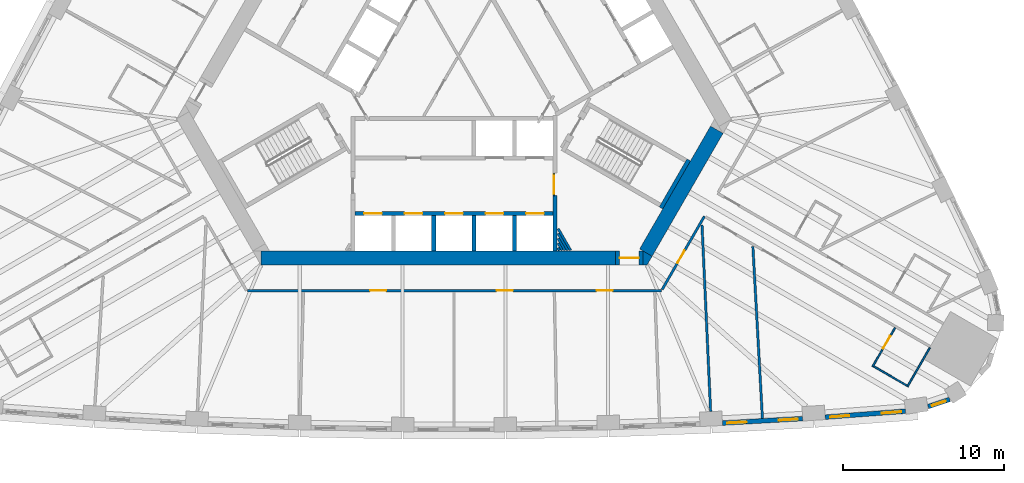
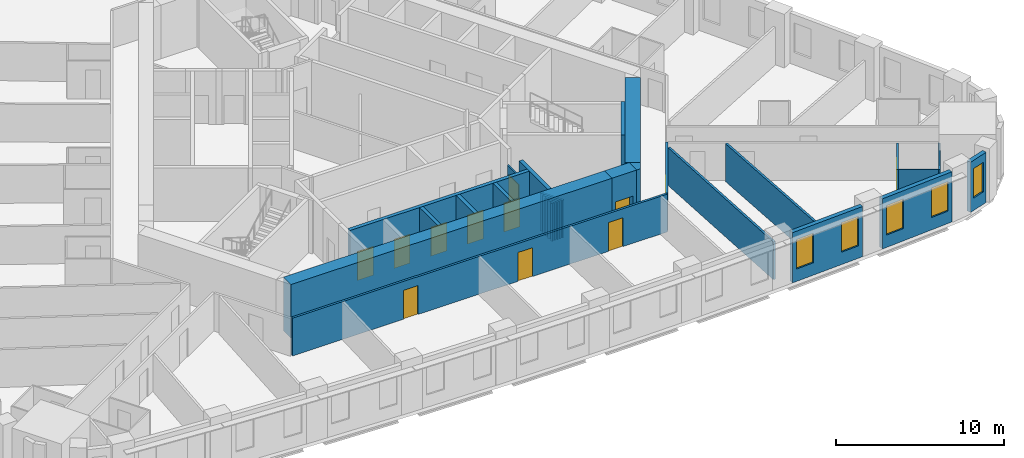
# One storey, part 6 of 12: 26 walls, 12 doors, 5 windows, 17 openings.
"""IFC4 building model written with IfcOpenShell, lengths in metres."""

import ifcopenshell
import ifcopenshell.guid

model = None  # the IFC model being written
_history = None  # IfcOwnerHistory: only IFC2X3 demands one
_inside = {}  # id of a spatial element -> (the spatial element, [elements in it])
_under = {}  # id of a project, library or spatial element -> (it, [spatial elements below it])
_declared = {}  # id of a project -> (the project, [libraries it declares])
_typed = {}  # id of a type object -> (the type object, [elements of that type])
_made_of = {}  # id of a material, layer set ... -> (it, [elements and type objects made of it])


def new_model(schema):
    """Start an empty IFC model of exactly this schema.

    Asked for "IFC4X3", IfcOpenShell would pick the latest addendum, in which some entities
    have other attributes; the version numbers below select the first issue.
    IFC2X3 requires an IfcOwnerHistory on every rooted entity: one is made here for all.
    """
    global model, _history
    if schema == "IFC4X3":
        model = ifcopenshell.file(schema_version=(4, 3, 0, 0))
    else:
        model = ifcopenshell.file(schema=schema)
    _inside.clear()
    _under.clear()
    _declared.clear()
    _typed.clear()
    _made_of.clear()
    _history = None
    if model.schema == "IFC2X3":
        org = make("IfcOrganization", Name="unknown")
        user = make(
            "IfcPersonAndOrganization",
            ThePerson=make("IfcPerson", FamilyName="unknown"),
            TheOrganization=org,
        )
        app = make(
            "IfcApplication",
            ApplicationDeveloper=org,
            Version="unknown",
            ApplicationFullName="unknown",
            ApplicationIdentifier="unknown",
        )
        _history = make(
            "IfcOwnerHistory",
            OwningUser=user,
            OwningApplication=app,
            ChangeAction="ADDED",
            CreationDate=0,
        )
    return model


def make(cls, **values):
    """One entity of the class cls with the attributes given. An attribute that is None is left unset."""
    return model.create_entity(
        cls, **{name: value for name, value in values.items() if value is not None}
    )


def rooted(cls, **values):
    """An entity with a GlobalId (a new one), such as an element, a storey or a relation."""
    return make(cls, GlobalId=ifcopenshell.guid.new(), OwnerHistory=_history, **values)


def si_unit(unit_type, name, prefix=None):
    """IfcSIUnit, for example si_unit("LENGTHUNIT", "METRE", prefix="MILLI")."""
    return make("IfcSIUnit", UnitType=unit_type, Prefix=prefix, Name=name)


def assignment(units):
    """IfcUnitAssignment: the units of a project."""
    return None if units is None else make("IfcUnitAssignment", Units=units)


def point(xyz):
    """IfcCartesianPoint."""
    return None if xyz is None else make("IfcCartesianPoint", Coordinates=xyz)


def direction(xyz):
    """IfcDirection."""
    return None if xyz is None else make("IfcDirection", DirectionRatios=xyz)


def frame(location, z_axis=None, x_axis=None):
    """IfcAxis2Placement3D, a coordinate frame: its origin and axes. An axis left out is left unset."""
    return make(
        "IfcAxis2Placement3D",
        Location=point(location),
        Axis=direction(z_axis),
        RefDirection=direction(x_axis),
    )


def frame_2d(location, x_axis=None):
    """IfcAxis2Placement2D, a coordinate frame in the plane: its origin and x axis."""
    return make(
        "IfcAxis2Placement2D", Location=point(location), RefDirection=direction(x_axis)
    )


def origin():
    """The frame at (0, 0, 0) with its axes left unset."""
    return frame((0.0, 0.0, 0.0))


def place(relative_to, where):
    """IfcLocalPlacement: puts the frame where relative to a parent placement (None: the world)."""
    return make(
        "IfcLocalPlacement", PlacementRelTo=relative_to, RelativePlacement=where
    )


def context(
    kind, dimensions, precision=None, world=None, true_north=None, identifier=None
):
    """IfcGeometricRepresentationContext, for example the 3D "Model" context."""
    return make(
        "IfcGeometricRepresentationContext",
        ContextIdentifier=identifier,
        ContextType=kind,
        CoordinateSpaceDimension=dimensions,
        Precision=precision,
        WorldCoordinateSystem=world,
        TrueNorth=true_north,
    )


def subcontext(parent, identifier, kind, view, scale=None):
    """IfcGeometricRepresentationSubContext, for example "Body" below "Model"."""
    return make(
        "IfcGeometricRepresentationSubContext",
        ContextIdentifier=identifier,
        ContextType=kind,
        ParentContext=parent,
        TargetScale=scale,
        TargetView=view,
    )


def project(units=None, contexts=None):
    """IfcProject with its units and contexts."""
    return rooted(
        "IfcProject",
        Name="project",
        RepresentationContexts=contexts,
        UnitsInContext=assignment(units),
    )


def spatial(cls, under=None, at=None, **own):
    """A site, building, storey or space (cls), placed at a placement, below another one or the project."""
    s = rooted(cls, ObjectPlacement=at, **own)
    if under is not None:
        _under.setdefault(under.id(), (under, []))[1].append(s)
    return s


def polyline(points):
    """IfcPolyline through the points."""
    return make("IfcPolyline", Points=[point(p) for p in points])


def profile(cls, at=None, kind="AREA", **sizes):
    """A parametric profile (cls). Its sizes go by their IFC names, for example OverallWidth=200.0."""
    return make(cls, ProfileType=kind, Position=at, **sizes)


def rectangle(**sizes):
    """IfcRectangleProfileDef."""
    return profile("IfcRectangleProfileDef", **sizes)


def outline(outer, holes=None, kind="AREA"):
    """IfcArbitraryClosedProfileDef: a profile drawn as a closed curve; with holes, ...WithVoids."""
    if holes is None:
        return make("IfcArbitraryClosedProfileDef", ProfileType=kind, OuterCurve=outer)
    return make(
        "IfcArbitraryProfileDefWithVoids",
        ProfileType=kind,
        OuterCurve=outer,
        InnerCurves=holes,
    )


def extrude(swept, where, along, depth):
    """IfcExtrudedAreaSolid: the profile swept, set in the frame where, extruded along a direction by depth."""
    return make(
        "IfcExtrudedAreaSolid",
        SweptArea=swept,
        Position=where,
        ExtrudedDirection=direction(along),
        Depth=depth,
    )


def shape(context_of_items, identifier, shape_type, items):
    """IfcShapeRepresentation: the items that make up one representation, for example the "Body"."""
    return make(
        "IfcShapeRepresentation",
        ContextOfItems=context_of_items,
        RepresentationIdentifier=identifier,
        RepresentationType=shape_type,
        Items=items,
    )


def material(Name=None, Category=None):
    """IfcMaterial."""
    return make("IfcMaterial", Name=Name, Category=Category)


def layer(
    of_material, thickness, ventilated=None, Name=None, Category=None, Priority=None
):
    """IfcMaterialLayer: one layer of a wall or slab, of a material (None: an air gap)."""
    return make(
        "IfcMaterialLayer",
        Material=of_material,
        LayerThickness=thickness,
        IsVentilated=ventilated,
        Name=Name,
        Category=Category,
        Priority=Priority,
    )


def layer_set(layers, Name=None):
    """IfcMaterialLayerSet."""
    return make("IfcMaterialLayerSet", MaterialLayers=layers, LayerSetName=Name)


def made_of(thing, what):
    """Note that an element or type object is made of a material, layer set ...; save() writes the relation."""
    if what is not None:
        _made_of.setdefault(what.id(), (what, []))[1].append(thing)
    return thing


def type_object(cls, material=None, **own):
    """A type object (cls), such as IfcWallType, which elements share."""
    return made_of(rooted(cls, **own), material)


def element(
    cls,
    number,
    at=None,
    inside=None,
    cuts=None,
    type_object=None,
    material=None,
    context=None,
    identifier="Body",
    shape_type=None,
    held_by="IfcProductDefinitionShape",
    body=None,
    shapes=None,
    **own,
):
    """One element of the class cls, such as IfcWall. Its Tag is "e" and its number.

    at: its placement. inside: the storey or other place that contains it. cuts: it is an
    opening in that element (IfcRelVoidsElement). A single representation is given by context,
    identifier, shape_type and body (its items); several are given by shapes. held_by: the class
    of the entity that holds the representations. save() writes the other relations.
    """
    e = rooted(cls, Tag="e%d" % number, ObjectPlacement=at, **own)
    if body is not None:
        shapes = [shape(context, identifier, shape_type, body)]
    if shapes is not None:
        e.Representation = make(held_by, Representations=shapes)
    if inside is not None:
        _inside.setdefault(inside.id(), (inside, []))[1].append(e)
    if cuts is not None:
        rooted(
            "IfcRelVoidsElement", RelatingBuildingElement=cuts, RelatedOpeningElement=e
        )
    if type_object is not None:
        _typed.setdefault(type_object.id(), (type_object, []))[1].append(e)
    return made_of(e, material)


def fill(opening, filler):
    """IfcRelFillsElement: the door or window that sits in an opening."""
    return rooted(
        "IfcRelFillsElement",
        RelatingOpeningElement=opening,
        RelatedBuildingElement=filler,
    )


def aggregate(whole, parts):
    """IfcRelAggregates: a whole, such as a stair, and the parts it consists of."""
    return rooted("IfcRelAggregates", RelatingObject=whole, RelatedObjects=parts)


def save(model, path):
    """Write the relations noted so far, then the file.

    IfcRelAggregates (storeys below a building ...), IfcRelContainedInSpatialStructure (elements
    in a storey), IfcRelDefinesByType, IfcRelAssociatesMaterial and IfcRelDeclares: one each for
    every whole, place, type object, material and project.
    """
    for whole, parts in _under.values():
        aggregate(whole, parts)
    for where, things in _inside.values():
        rooted(
            "IfcRelContainedInSpatialStructure",
            RelatedElements=things,
            RelatingStructure=where,
        )
    for kind, things in _typed.values():
        rooted("IfcRelDefinesByType", RelatedObjects=things, RelatingType=kind)
    for what, things in _made_of.values():
        rooted("IfcRelAssociatesMaterial", RelatedObjects=things, RelatingMaterial=what)
    for by, libraries in _declared.values():
        rooted("IfcRelDeclares", RelatingContext=by, RelatedDefinitions=libraries)
    model.write(path)


model = new_model("IFC4")

# Units and contexts
model_context = context("Model", 3, precision=1e-05, world=origin(), true_north=direction((0.0, 1.0)))
body_context = subcontext(model_context, "Body", "Model", "MODEL_VIEW")
ifc_project = project(units=[si_unit("LENGTHUNIT", "METRE"), si_unit("AREAUNIT", "SQUARE_METRE"), si_unit("VOLUMEUNIT", "CUBIC_METRE"), si_unit("PLANEANGLEUNIT", "RADIAN"), si_unit("MASSUNIT", "GRAM", prefix="KILO")], contexts=[model_context])

# Site, building, storey
site_placement = place(None, origin())
site = spatial("IfcSite", under=ifc_project, at=site_placement, CompositionType="ELEMENT")
building_placement = place(site_placement, origin())
building = spatial("IfcBuilding", under=site, at=building_placement, Name="Mestral Congress Tower", CompositionType="ELEMENT")
storey_placement = place(building_placement, frame((0.0, 0.0, 43.199951171875)))
storey = spatial("IfcBuildingStorey", under=building, at=storey_placement, Name="L09", CompositionType="ELEMENT", Elevation=43.199951171875)

# Walls
ifc_material_1 = material(Name="Fire-rated board partition")
ifc_layer_1 = layer(ifc_material_1, 0.14990234375)
ifc_layer_set_1 = layer_set([ifc_layer_1], Name="Fire-rated board partition")
wall_type_1 = type_object("IfcWallType", Name="Core partition 150", PredefinedType="PARTITIONING", material=ifc_layer_set_1)
wall_1_placement = place(storey_placement, frame((6.47998046875, -10.7255859375, 0.0), z_axis=(0.0, 0.0, 1.0), x_axis=(0.500017819788, -0.86601511528, 0.0)))
element("IfcWall", 1, at=wall_1_placement, inside=storey, type_object=wall_type_1, Name="L09 core wall", PredefinedType="PARTITIONING", context=body_context, shape_type="SweptSolid", body=[
    extrude(rectangle(XDim=1.55029296875, YDim=0.14990234375, at=frame_2d((0.775146484375, 0.0))), origin(), (0.0, 0.0, 1.0), 2.75),
])
wall_2_placement = place(storey_placement, frame((6.47998046875, -11.025634765625, 0.0), z_axis=(0.0, 0.0, 1.0), x_axis=(0.49995654735, -0.86605048973, 0.0)))
element("IfcWall", 2, at=wall_2_placement, inside=storey, type_object=wall_type_1, Name="L09 core wall", PredefinedType="PARTITIONING", context=body_context, shape_type="SweptSolid", body=[
    extrude(rectangle(XDim=1.20361328125, YDim=0.14990234375, at=frame_2d((0.601806640625, 0.0))), origin(), (0.0, 0.0, 1.0), 2.75),
])
wall_3_placement = place(storey_placement, frame((6.47998046875, -11.32568359375, 0.0), z_axis=(0.0, 0.0, 1.0), x_axis=(0.500059337743, -0.865991142412, 0.0)))
element("IfcWall", 3, at=wall_3_placement, inside=storey, type_object=wall_type_1, Name="L09 core wall", PredefinedType="PARTITIONING", context=body_context, shape_type="SweptSolid", body=[
    extrude(rectangle(XDim=0.857421875, YDim=0.14990234375, at=frame_2d((0.4287109375, 0.0))), origin(), (0.0, 0.0, 1.0), 2.75),
])
wall_4_placement = place(storey_placement, frame((6.47998046875, -11.625732421875, 0.0), z_axis=(0.0, 0.0, 1.0), x_axis=(0.500301480982, -0.865851273677, 0.0)))
element("IfcWall", 4, at=wall_4_placement, inside=storey, type_object=wall_type_1, Name="L09 core wall", PredefinedType="PARTITIONING", context=body_context, shape_type="SweptSolid", body=[
    extrude(rectangle(XDim=0.510986328125, YDim=0.14990234375, at=frame_2d((0.25537109375, 0.0))), origin(), (0.0, 0.0, 1.0), 2.75),
])
wall_5_placement = place(storey_placement, frame((6.47998046875, -11.92578125, 0.0), z_axis=(0.0, 0.0, 1.0), x_axis=(0.500450775723, -0.86576499183, 0.0)))
element("IfcWall", 5, at=wall_5_placement, inside=storey, type_object=wall_type_1, Name="L09 core wall", PredefinedType="PARTITIONING", context=body_context, shape_type="SweptSolid", body=[
    extrude(rectangle(XDim=0.164306640625, YDim=0.14990234375, at=frame_2d((0.08203125, 0.0))), origin(), (0.0, 0.0, 1.0), 2.75),
])

# Wall, opening, door
ifc_layer_2 = layer(ifc_material_1, 0.090087890625)
ifc_layer_set_2 = layer_set([ifc_layer_2], Name="Fire-rated board partition")
wall_type_2 = type_object("IfcWallType", Name="Core partition 150 door-wall 90", PredefinedType="PARTITIONING", material=ifc_layer_set_2)
wall_6_placement = place(storey_placement, frame((6.219970703125, -7.266357421875, 0.0), z_axis=(0.0, 0.0, 1.0), x_axis=(0.0, -1.0, 0.0)))
wall_6 = element("IfcWall", 6, at=wall_6_placement, inside=storey, type_object=wall_type_2, Name="L09 door wall", PredefinedType="PARTITIONING", context=body_context, shape_type="SweptSolid", body=[
    extrude(rectangle(XDim=1.400146484375, YDim=0.090087890625, at=frame_2d((0.7001953125, 0.0))), origin(), (0.0, 0.0, 1.0), 2.75),
])
opening_1_placement = place(wall_6_placement, frame((0.10009765625, 0.0, 0.0)))
opening_1 = element("IfcOpeningElement", 7, at=opening_1_placement, cuts=wall_6, Name="Opening LB0-WL1", PredefinedType="OPENING", context=body_context, shape_type="SweptSolid", body=[
    extrude(rectangle(XDim=1.199951171875, YDim=2.10009765625, at=frame_2d((0.60009765625, 1.050048828125))), frame((0.0, 0.054931640625, 0.0), z_axis=(0.0, -1.0, 0.0), x_axis=(1.0, 0.0, 0.0)), (0.0, 0.0, 1.0), 0.110107421875),
])
ifc_material_2 = material(Name="Fire-rated steel door set", Category="steel")
door_type_1 = type_object("IfcDoorType", Name="Core door LB 1200x2100", OperationType="SINGLE_SWING_LEFT", PredefinedType="DOOR", material=ifc_material_2)
door_1_placement = place(opening_1_placement, origin())
door_1 = element("IfcDoor", 8, at=door_1_placement, inside=storey, type_object=door_type_1, Name="Door LB0-WL1", OperationType="SINGLE_SWING_LEFT", OverallHeight=2.10009765625, OverallWidth=1.199951171875, PredefinedType="DOOR", context=body_context, shape_type="SweptSolid", body=[
    extrude(rectangle(XDim=1.199951171875, YDim=2.10009765625, at=frame_2d((0.60009765625, 1.050048828125))), frame((0.0, 0.02490234375, 0.0), z_axis=(0.0, -1.0, 0.0), x_axis=(1.0, 0.0, 0.0)), (0.0, 0.0, 1.0), 0.050048828125),
])
fill(opening_1, door_1)

# Walls
ifc_material_3 = material(Name="Concrete C60/75", Category="concrete")
ifc_layer_3 = layer(ifc_material_3, 0.89990234375)
ifc_layer_set_3 = layer_set([ifc_layer_3], Name="Concrete C60/75")
wall_type_3 = type_object("IfcWallType", Name="Core wall RC 900", PredefinedType="SOLIDWALL", material=ifc_layer_set_3)
wall_7_placement = place(storey_placement, frame((11.943115234375, -12.214111328125, 0.0), z_axis=(0.0, 0.0, 1.0), x_axis=(0.49998092645, 0.866036415623, 0.0)))
element("IfcWall", 9, at=wall_7_placement, inside=storey, type_object=wall_type_3, Name="L09 core wall", PredefinedType="SOLIDWALL", context=body_context, shape_type="SweptSolid", body=[
    extrude(rectangle(XDim=8.830322265625, YDim=0.89990234375, at=frame_2d((4.4150390625, 0.0))), origin(), (0.0, 0.0, 1.0), 3.900146484375),
])
wall_8_placement = place(storey_placement, origin())
element("IfcWall", 10, at=wall_8_placement, inside=storey, type_object=wall_type_3, Name="L09 core wall", PredefinedType="SOLIDWALL", context=body_context, shape_type="SweptSolid", body=[
    extrude(outline(polyline([(12.0087890625, -13.0), (11.764404296875, -13.0), (11.764404296875, -12.11328125), (12.331787109375, -12.440673828125), (12.0087890625, -13.0)])), origin(), (0.0, 0.0, 1.0), 3.900146484375),
])
wall_9_placement = place(storey_placement, frame((-12.0185546875, -12.550048828125, 0.0), z_axis=(0.0, 0.0, 1.0), x_axis=(1.0, 0.0, 0.0)))
element("IfcWall", 11, at=wall_9_placement, inside=storey, type_object=wall_type_3, Name="L09 core wall", PredefinedType="SOLIDWALL", context=body_context, shape_type="SweptSolid", body=[
    extrude(rectangle(XDim=22.082763671875, YDim=0.89990234375, at=frame_2d((11.04150390625, 0.0))), origin(), (0.0, 0.0, 1.0), 3.900146484375),
])

# Wall, opening, door
wall_10_placement = place(storey_placement, frame((11.764404296875, -12.550048828125, 0.0), z_axis=(0.0, 0.0, 1.0), x_axis=(-1.0, 0.0, 0.0)))
wall_10 = element("IfcWall", 12, at=wall_10_placement, inside=storey, type_object=wall_type_3, Name="L09 door wall", PredefinedType="SOLIDWALL", context=body_context, shape_type="SweptSolid", body=[
    extrude(rectangle(XDim=1.699951171875, YDim=0.89990234375, at=frame_2d((0.85009765625, 0.0))), origin(), (0.0, 0.0, 1.0), 3.900146484375),
])
opening_2_placement = place(wall_10_placement, frame((0.25, 0.0, 0.0)))
opening_2 = element("IfcOpeningElement", 13, at=opening_2_placement, cuts=wall_10, Name="Opening XD1", PredefinedType="OPENING", context=body_context, shape_type="SweptSolid", body=[
    extrude(rectangle(XDim=1.199951171875, YDim=2.10009765625, at=frame_2d((0.60009765625, 1.050048828125))), frame((0.0, 0.4599609375, 0.0), z_axis=(0.0, -1.0, 0.0), x_axis=(1.0, 0.0, 0.0)), (0.0, 0.0, 1.0), 0.919921875),
])
door_type_2 = type_object("IfcDoorType", Name="Core door XD 1200x2100", OperationType="SINGLE_SWING_LEFT", PredefinedType="DOOR", material=ifc_material_2)
door_2_placement = place(opening_2_placement, origin())
door_2 = element("IfcDoor", 14, at=door_2_placement, inside=storey, type_object=door_type_2, Name="Door XD1", OperationType="SINGLE_SWING_LEFT", OverallHeight=2.10009765625, OverallWidth=1.199951171875, PredefinedType="DOOR", context=body_context, shape_type="SweptSolid", body=[
    extrude(rectangle(XDim=1.199951171875, YDim=2.10009765625, at=frame_2d((0.60009765625, 1.050048828125))), frame((0.0, 0.02490234375, 0.0), z_axis=(0.0, -1.0, 0.0), x_axis=(1.0, 0.0, 0.0)), (0.0, 0.0, 1.0), 0.050048828125),
])
fill(opening_2, door_2)

# Wall, openings, windows
ifc_material_4 = material(Name="Precast concrete C40/50 with limestone facing", Category="masonry")
ifc_layer_4 = layer(ifc_material_4, 0.2900390625)
ifc_layer_set_4 = layer_set([ifc_layer_4], Name="Precast concrete C40/50 with limestone facing")
wall_type_4 = type_object("IfcWallType", Name="Facade stone wall 290", PredefinedType="SOLIDWALL", material=ifc_layer_set_4)
wall_11_placement = place(storey_placement, frame((16.7109375, -22.823974609375, 0.0), z_axis=(0.0, 0.0, 1.0), x_axis=(0.998464708705, 0.055391564976, 0.0)))
wall_11 = element("IfcWall", 15, at=wall_11_placement, inside=storey, type_object=wall_type_4, Name="Facade wall F0-07", PredefinedType="SOLIDWALL", context=body_context, shape_type="SweptSolid", body=[
    extrude(rectangle(XDim=4.998046875, YDim=0.2900390625, at=frame_2d((2.4990234375, 0.0))), origin(), (0.0, 0.0, 1.0), 3.650146484375),
])
opening_3_placement = place(wall_11_placement, frame((0.297119140625, 0.0, 0.89990234375)))
opening_3 = element("IfcOpeningElement", 16, at=opening_3_placement, cuts=wall_11, Name="Opening W1", PredefinedType="OPENING", context=body_context, shape_type="SweptSolid", body=[
    extrude(rectangle(XDim=1.199951171875, YDim=2.14990234375, at=frame_2d((0.60009765625, 1.074951171875))), frame((0.0, 0.155029296875, 0.0), z_axis=(0.0, -1.0, 0.0), x_axis=(1.0, 0.0, 0.0)), (0.0, 0.0, 1.0), 0.31005859375),
])
opening_4_placement = place(wall_11_placement, frame((3.501220703125, 0.0, 0.89990234375)))
opening_4 = element("IfcOpeningElement", 17, at=opening_4_placement, cuts=wall_11, Name="Opening W1", PredefinedType="OPENING", context=body_context, shape_type="SweptSolid", body=[
    extrude(rectangle(XDim=1.199951171875, YDim=2.14990234375, at=frame_2d((0.60009765625, 1.074951171875))), frame((0.0, 0.155029296875, 0.0), z_axis=(0.0, -1.0, 0.0), x_axis=(1.0, 0.0, 0.0)), (0.0, 0.0, 1.0), 0.31005859375),
])
ifc_material_5 = material(Name="Clear low-emissivity double glazing", Category="glass")
window_type_1 = type_object("IfcWindowType", Name="Facade punched window 1200 x 2150 sill 900", PartitioningType="DOUBLE_PANEL_VERTICAL", PredefinedType="WINDOW", material=ifc_material_5)
window_1_placement = place(opening_3_placement, origin())
window_1 = element("IfcWindow", 18, at=window_1_placement, inside=storey, type_object=window_type_1, Name="Window F0-07a", OverallHeight=2.14990234375, OverallWidth=1.199951171875, PartitioningType="DOUBLE_PANEL_VERTICAL", PredefinedType="WINDOW", context=body_context, shape_type="SweptSolid", body=[
    extrude(rectangle(XDim=1.199951171875, YDim=2.14990234375, at=frame_2d((0.60009765625, 1.074951171875))), frame((0.0, 0.01513671875, 0.0), z_axis=(0.0, -1.0, 0.0), x_axis=(1.0, 0.0, 0.0)), (0.0, 0.0, 1.0), 0.06005859375),
])
fill(opening_3, window_1)
window_2_placement = place(opening_4_placement, origin())
window_2 = element("IfcWindow", 19, at=window_2_placement, inside=storey, type_object=window_type_1, Name="Window F0-07b", OverallHeight=2.14990234375, OverallWidth=1.199951171875, PartitioningType="DOUBLE_PANEL_VERTICAL", PredefinedType="WINDOW", context=body_context, shape_type="SweptSolid", body=[
    extrude(rectangle(XDim=1.199951171875, YDim=2.14990234375, at=frame_2d((0.60009765625, 1.074951171875))), frame((0.0, 0.01513671875, 0.0), z_axis=(0.0, -1.0, 0.0), x_axis=(1.0, 0.0, 0.0)), (0.0, 0.0, 1.0), 0.06005859375),
])
fill(opening_4, window_2)

wall_12_placement = place(storey_placement, frame((23.10595703125, -22.4560546875, 0.0), z_axis=(0.0, 0.0, 1.0), x_axis=(0.997266290399, 0.073891447643, 0.0)))
wall_12 = element("IfcWall", 20, at=wall_12_placement, inside=storey, type_object=wall_type_4, Name="Facade wall F0-08", PredefinedType="SOLIDWALL", context=body_context, shape_type="SweptSolid", body=[
    extrude(rectangle(XDim=5.005615234375, YDim=0.2900390625, at=frame_2d((2.5029296875, 0.0))), origin(), (0.0, 0.0, 1.0), 3.650146484375),
])
opening_5_placement = place(wall_12_placement, frame((0.31005859375, 0.0, 0.89990234375)))
opening_5 = element("IfcOpeningElement", 21, at=opening_5_placement, cuts=wall_12, Name="Opening W1", PredefinedType="OPENING", context=body_context, shape_type="SweptSolid", body=[
    extrude(rectangle(XDim=1.199951171875, YDim=2.14990234375, at=frame_2d((0.60009765625, 1.074951171875))), frame((0.0, 0.155029296875, 0.0), z_axis=(0.0, -1.0, 0.0), x_axis=(1.0, 0.0, 0.0)), (0.0, 0.0, 1.0), 0.31005859375),
])
opening_6_placement = place(wall_12_placement, frame((3.540283203125, 0.0, 0.89990234375)))
opening_6 = element("IfcOpeningElement", 22, at=opening_6_placement, cuts=wall_12, Name="Opening W1", PredefinedType="OPENING", context=body_context, shape_type="SweptSolid", body=[
    extrude(rectangle(XDim=1.199951171875, YDim=2.14990234375, at=frame_2d((0.60009765625, 1.074951171875))), frame((0.0, 0.155029296875, 0.0), z_axis=(0.0, -1.0, 0.0), x_axis=(1.0, 0.0, 0.0)), (0.0, 0.0, 1.0), 0.31005859375),
])
window_3_placement = place(opening_5_placement, origin())
window_3 = element("IfcWindow", 23, at=window_3_placement, inside=storey, type_object=window_type_1, Name="Window F0-08a", OverallHeight=2.14990234375, OverallWidth=1.199951171875, PartitioningType="DOUBLE_PANEL_VERTICAL", PredefinedType="WINDOW", context=body_context, shape_type="SweptSolid", body=[
    extrude(rectangle(XDim=1.199951171875, YDim=2.14990234375, at=frame_2d((0.60009765625, 1.074951171875))), frame((0.0, 0.01513671875, 0.0), z_axis=(0.0, -1.0, 0.0), x_axis=(1.0, 0.0, 0.0)), (0.0, 0.0, 1.0), 0.06005859375),
])
fill(opening_5, window_3)
window_4_placement = place(opening_6_placement, origin())
window_4 = element("IfcWindow", 24, at=window_4_placement, inside=storey, type_object=window_type_1, Name="Window F0-08b", OverallHeight=2.14990234375, OverallWidth=1.199951171875, PartitioningType="DOUBLE_PANEL_VERTICAL", PredefinedType="WINDOW", context=body_context, shape_type="SweptSolid", body=[
    extrude(rectangle(XDim=1.199951171875, YDim=2.14990234375, at=frame_2d((0.60009765625, 1.074951171875))), frame((0.0, 0.01513671875, 0.0), z_axis=(0.0, -1.0, 0.0), x_axis=(1.0, 0.0, 0.0)), (0.0, 0.0, 1.0), 0.06005859375),
])
fill(opening_6, window_4)

# Wall, opening, window
wall_13_placement = place(storey_placement, frame((29.51171875, -21.80224609375, 0.0), z_axis=(0.0, 0.0, 1.0), x_axis=(0.947903891592, 0.318556450734, 0.0)))
wall_13 = element("IfcWall", 25, at=wall_13_placement, inside=storey, type_object=wall_type_4, Name="Facade wall K0-0", PredefinedType="SOLIDWALL", context=body_context, shape_type="SweptSolid", body=[
    extrude(rectangle(XDim=1.414794921875, YDim=0.2900390625, at=frame_2d((0.70751953125, 0.0))), origin(), (0.0, 0.0, 1.0), 3.650146484375),
])
opening_7_placement = place(wall_13_placement, frame((0.25732421875, 0.0, 0.89990234375)))
opening_7 = element("IfcOpeningElement", 26, at=opening_7_placement, cuts=wall_13, Name="Opening W3", PredefinedType="OPENING", context=body_context, shape_type="SweptSolid", body=[
    extrude(rectangle(XDim=0.89990234375, YDim=2.14990234375, at=frame_2d((0.449951171875, 1.074951171875))), frame((0.0, 0.155029296875, 0.0), z_axis=(0.0, -1.0, 0.0), x_axis=(1.0, 0.0, 0.0)), (0.0, 0.0, 1.0), 0.31005859375),
])
window_type_2 = type_object("IfcWindowType", Name="Facade punched window 900 x 2150 sill 900", PartitioningType="SINGLE_PANEL", PredefinedType="WINDOW", material=ifc_material_5)
window_5_placement = place(opening_7_placement, origin())
window_5 = element("IfcWindow", 27, at=window_5_placement, inside=storey, type_object=window_type_2, Name="Window K0-0", OverallHeight=2.14990234375, OverallWidth=0.89990234375, PartitioningType="SINGLE_PANEL", PredefinedType="WINDOW", context=body_context, shape_type="SweptSolid", body=[
    extrude(rectangle(XDim=0.89990234375, YDim=2.14990234375, at=frame_2d((0.449951171875, 1.074951171875))), frame((0.0, 0.01513671875, 0.0), z_axis=(0.0, -1.0, 0.0), x_axis=(1.0, 0.0, 0.0)), (0.0, 0.0, 1.0), 0.06005859375),
])
fill(opening_7, window_5)

# Wall, opening, door
ifc_material_6 = material(Name="Gypsum board partition on metal studs with mineral wool", Category="composite")
ifc_layer_5 = layer(ifc_material_6, 0.10009765625)
ifc_layer_set_5 = layer_set([ifc_layer_5], Name="Gypsum board partition on metal studs with mineral wool")
wall_type_5 = type_object("IfcWallType", Name="Hotel partition wall 100", PredefinedType="PARTITIONING", material=ifc_layer_set_5)
wall_14_placement = place(storey_placement, frame((27.452392578125, -16.888916015625, 0.0), z_axis=(0.0, 0.0, 1.0), x_axis=(-0.49998411664, -0.866034573852, 0.0)))
wall_14 = element("IfcWall", 28, at=wall_14_placement, inside=storey, type_object=wall_type_5, Name="L09-h-pod09a", PredefinedType="PARTITIONING", context=body_context, shape_type="SweptSolid", body=[
    extrude(rectangle(XDim=2.7998046875, YDim=0.10009765625, at=frame_2d((1.39990234375, 0.0))), origin(), (0.0, 0.0, 1.0), 2.75),
])
opening_8_placement = place(wall_14_placement, frame((0.60009765625, 0.0, 0.0)))
opening_8 = element("IfcOpeningElement", 29, at=opening_8_placement, cuts=wall_14, Name="Opening H02-011", PredefinedType="OPENING", context=body_context, shape_type="SweptSolid", body=[
    extrude(rectangle(XDim=0.89990234375, YDim=2.10009765625, at=frame_2d((0.449951171875, 1.050048828125))), frame((0.0, 0.06005859375, 0.0), z_axis=(0.0, -1.0, 0.0), x_axis=(1.0, 0.0, 0.0)), (0.0, 0.0, 1.0), 0.1201171875),
])
ifc_material_7 = material(Name="Timber veneer door leaf in timber frame", Category="wood")
door_type_3 = type_object("IfcDoorType", Name="Bathroom door 900", OperationType="SINGLE_SWING_LEFT", PredefinedType="DOOR", material=ifc_material_7)
door_3_placement = place(opening_8_placement, origin())
door_3 = element("IfcDoor", 30, at=door_3_placement, inside=storey, type_object=door_type_3, Name="L09-h-d011", OperationType="SINGLE_SWING_RIGHT", OverallHeight=2.10009765625, OverallWidth=0.89990234375, PredefinedType="DOOR", context=body_context, shape_type="SweptSolid", body=[
    extrude(rectangle(XDim=0.89990234375, YDim=2.10009765625, at=frame_2d((0.449951171875, 1.050048828125))), frame((0.0, 0.02490234375, 0.0), z_axis=(0.0, -1.0, 0.0), x_axis=(1.0, 0.0, 0.0)), (0.0, 0.0, 1.0), 0.050048828125),
])
fill(opening_8, door_3)

# Walls
wall_15_placement = place(storey_placement, frame((26.12060546875, -19.29541015625, 0.0), z_axis=(0.0, 0.0, 1.0), x_axis=(0.866006032174, -0.500033551112, 0.0)))
element("IfcWall", 31, at=wall_15_placement, inside=storey, type_object=wall_type_5, Name="L09-h-pod09b", PredefinedType="PARTITIONING", context=body_context, shape_type="SweptSolid", body=[
    extrude(rectangle(XDim=2.400146484375, YDim=0.10009765625, at=frame_2d((1.2001953125, 0.0))), origin(), (0.0, 0.0, 1.0), 2.75),
])
wall_16_placement = place(storey_placement, frame((29.617431640625, -18.138916015625, 0.0), z_axis=(0.0, 0.0, 1.0), x_axis=(-0.49998411664, -0.866034573852, 0.0)))
element("IfcWall", 32, at=wall_16_placement, inside=storey, type_object=wall_type_5, Name="L09-h-pod09c", PredefinedType="PARTITIONING", context=body_context, shape_type="SweptSolid", body=[
    extrude(rectangle(XDim=2.7998046875, YDim=0.10009765625, at=frame_2d((1.39990234375, 0.0))), origin(), (0.0, 0.0, 1.0), 2.75),
])

# Wall, openings, doors
ifc_layer_6 = layer(ifc_material_6, 0.14990234375)
ifc_layer_set_6 = layer_set([ifc_layer_6], Name="Gypsum board partition on metal studs with mineral wool")
wall_type_6 = type_object("IfcWallType", Name="Hotel partition wall 150", PredefinedType="PARTITIONING", material=ifc_layer_set_6)
wall_17_placement = place(storey_placement, frame((12.918212890625, -14.574951171875, 0.0), z_axis=(0.0, 0.0, 1.0), x_axis=(-1.0, 0.0, 0.0)))
wall_17 = element("IfcWall", 33, at=wall_17_placement, inside=storey, type_object=wall_type_6, Name="L09-h-cw13", PredefinedType="PARTITIONING", context=body_context, shape_type="SweptSolid", body=[
    extrude(rectangle(XDim=25.766357421875, YDim=0.14990234375, at=frame_2d((12.88330078125, 0.0))), origin(), (0.0, 0.0, 1.0), 2.75),
])
opening_9_placement = place(wall_17_placement, frame((17.140869140625, 0.0, 0.0)))
opening_9 = element("IfcOpeningElement", 34, at=opening_9_placement, cuts=wall_17, Name="Opening H02-005", PredefinedType="OPENING", context=body_context, shape_type="SweptSolid", body=[
    extrude(rectangle(XDim=1.0, YDim=2.10009765625, at=frame_2d((0.5, 1.050048828125))), frame((0.0, 0.0849609375, 0.0), z_axis=(0.0, -1.0, 0.0), x_axis=(1.0, 0.0, 0.0)), (0.0, 0.0, 1.0), 0.169921875),
])
opening_10_placement = place(wall_17_placement, frame((9.258544921875, 0.0, 0.0)))
opening_10 = element("IfcOpeningElement", 35, at=opening_10_placement, cuts=wall_17, Name="Opening H02-006", PredefinedType="OPENING", context=body_context, shape_type="SweptSolid", body=[
    extrude(rectangle(XDim=1.0, YDim=2.10009765625, at=frame_2d((0.5, 1.050048828125))), frame((0.0, 0.0849609375, 0.0), z_axis=(0.0, -1.0, 0.0), x_axis=(1.0, 0.0, 0.0)), (0.0, 0.0, 1.0), 0.169921875),
])
opening_11_placement = place(wall_17_placement, frame((3.044189453125, 0.0, 0.0)))
opening_11 = element("IfcOpeningElement", 36, at=opening_11_placement, cuts=wall_17, Name="Opening H02-007", PredefinedType="OPENING", context=body_context, shape_type="SweptSolid", body=[
    extrude(rectangle(XDim=1.0, YDim=2.10009765625, at=frame_2d((0.5, 1.050048828125))), frame((0.0, 0.0849609375, 0.0), z_axis=(0.0, -1.0, 0.0), x_axis=(1.0, 0.0, 0.0)), (0.0, 0.0, 1.0), 0.169921875),
])
ifc_material_8 = material(Name="Timber veneer door leaf in metal frame", Category="wood")
door_type_4 = type_object("IfcDoorType", Name="Guest room entrance door 1000", OperationType="SINGLE_SWING_LEFT", PredefinedType="DOOR", material=ifc_material_8)
door_4_placement = place(opening_9_placement, origin())
door_4 = element("IfcDoor", 37, at=door_4_placement, inside=storey, type_object=door_type_4, Name="L09-h-d005", OperationType="SINGLE_SWING_RIGHT", OverallHeight=2.10009765625, OverallWidth=1.0, PredefinedType="DOOR", context=body_context, shape_type="SweptSolid", body=[
    extrude(rectangle(XDim=1.0, YDim=2.10009765625, at=frame_2d((0.5, 1.050048828125))), frame((0.0, 0.02490234375, 0.0), z_axis=(0.0, -1.0, 0.0), x_axis=(1.0, 0.0, 0.0)), (0.0, 0.0, 1.0), 0.050048828125),
])
fill(opening_9, door_4)
door_5_placement = place(opening_10_placement, origin())
door_5 = element("IfcDoor", 38, at=door_5_placement, inside=storey, type_object=door_type_4, Name="L09-h-d006", OperationType="SINGLE_SWING_LEFT", OverallHeight=2.10009765625, OverallWidth=1.0, PredefinedType="DOOR", context=body_context, shape_type="SweptSolid", body=[
    extrude(rectangle(XDim=1.0, YDim=2.10009765625, at=frame_2d((0.5, 1.050048828125))), frame((0.0, 0.02490234375, 0.0), z_axis=(0.0, -1.0, 0.0), x_axis=(1.0, 0.0, 0.0)), (0.0, 0.0, 1.0), 0.050048828125),
])
fill(opening_10, door_5)
door_6_placement = place(opening_11_placement, origin())
door_6 = element("IfcDoor", 39, at=door_6_placement, inside=storey, type_object=door_type_4, Name="L09-h-d007", OperationType="SINGLE_SWING_RIGHT", OverallHeight=2.10009765625, OverallWidth=1.0, PredefinedType="DOOR", context=body_context, shape_type="SweptSolid", body=[
    extrude(rectangle(XDim=1.0, YDim=2.10009765625, at=frame_2d((0.5, 1.050048828125))), frame((0.0, 0.02490234375, 0.0), z_axis=(0.0, -1.0, 0.0), x_axis=(1.0, 0.0, 0.0)), (0.0, 0.0, 1.0), 0.050048828125),
])
fill(opening_11, door_6)

# Wall, opening, door
wall_18_placement = place(storey_placement, frame((15.58740234375, -9.951904296875, 0.0), z_axis=(0.0, 0.0, 1.0), x_axis=(-0.500016618951, -0.866015808616, 0.0)))
wall_18 = element("IfcWall", 40, at=wall_18_placement, inside=storey, type_object=wall_type_6, Name="L09-h-cw14", PredefinedType="PARTITIONING", context=body_context, shape_type="SweptSolid", body=[
    extrude(rectangle(XDim=5.268310546875, YDim=0.14990234375, at=frame_2d((2.63427734375, 0.0))), origin(), (0.0, 0.0, 1.0), 2.75),
])
opening_12_placement = place(wall_18_placement, frame((2.46533203125, 0.0, 0.0)))
opening_12 = element("IfcOpeningElement", 41, at=opening_12_placement, cuts=wall_18, Name="Opening H02-008", PredefinedType="OPENING", context=body_context, shape_type="SweptSolid", body=[
    extrude(rectangle(XDim=0.89990234375, YDim=2.10009765625, at=frame_2d((0.449951171875, 1.050048828125))), frame((0.0, 0.0849609375, 0.0), z_axis=(0.0, -1.0, 0.0), x_axis=(1.0, 0.0, 0.0)), (0.0, 0.0, 1.0), 0.169921875),
])
door_type_5 = type_object("IfcDoorType", Name="Service room door 900", OperationType="SINGLE_SWING_LEFT", PredefinedType="DOOR", material=ifc_material_8)
door_7_placement = place(opening_12_placement, origin())
door_7 = element("IfcDoor", 42, at=door_7_placement, inside=storey, type_object=door_type_5, Name="L09-h-d008", OperationType="SINGLE_SWING_LEFT", OverallHeight=2.10009765625, OverallWidth=0.89990234375, PredefinedType="DOOR", context=body_context, shape_type="SweptSolid", body=[
    extrude(rectangle(XDim=0.89990234375, YDim=2.10009765625, at=frame_2d((0.449951171875, 1.050048828125))), frame((0.0, 0.02490234375, 0.0), z_axis=(0.0, -1.0, 0.0), x_axis=(1.0, 0.0, 0.0)), (0.0, 0.0, 1.0), 0.050048828125),
])
fill(opening_12, door_7)

# Walls
wall_19_placement = place(storey_placement, frame((15.973388671875, -22.10888671875, 0.0), z_axis=(0.0, 0.0, 1.0), x_axis=(-0.046191717129, 0.998932592955, 0.0)))
element("IfcWall", 43, at=wall_19_placement, inside=storey, type_object=wall_type_6, Name="L09-h-pw22", PredefinedType="PARTITIONING", context=body_context, shape_type="SweptSolid", body=[
    extrude(rectangle(XDim=11.638427734375, YDim=0.14990234375, at=frame_2d((5.8193359375, 0.0))), origin(), (0.0, 0.0, 1.0), 2.75),
])
wall_20_placement = place(storey_placement, frame((19.1982421875, -22.540771484375, 0.0), z_axis=(0.0, 0.0, 1.0), x_axis=(-0.055432210572, 0.99846245299, 0.0)))
element("IfcWall", 44, at=wall_20_placement, inside=storey, type_object=wall_type_6, Name="L09-h-pw25", PredefinedType="PARTITIONING", context=body_context, shape_type="SweptSolid", body=[
    extrude(rectangle(XDim=10.72900390625, YDim=0.14990234375, at=frame_2d((5.364501953125, 0.0))), origin(), (0.0, 0.0, 1.0), 2.75),
])
ifc_layer_7 = layer(ifc_material_3, 0.25)
ifc_layer_set_7 = layer_set([ifc_layer_7], Name="Concrete C60/75")
wall_type_7 = type_object("IfcWallType", Name="Shaft wall RC 250", PredefinedType="SOLIDWALL", material=ifc_layer_set_7)
wall_21_placement = place(storey_placement, frame((6.300048828125, -12.10009765625, 0.0), z_axis=(0.0, 0.0, 1.0), x_axis=(0.0, 1.0, 0.0)))
element("IfcWall", 45, at=wall_21_placement, inside=storey, type_object=wall_type_7, Name="L09 core wall", PredefinedType="SOLIDWALL", context=body_context, shape_type="SweptSolid", body=[
    extrude(rectangle(XDim=3.427978515625, YDim=0.25, at=frame_2d((1.7138671875, 0.0))), origin(), (0.0, 0.0, 1.0), 3.900146484375),
])
for number, where, z_axis, x_axis, name in (
    (46, (3.780029296875, -12.10009765625, 0.0), (0.0, 0.0, 1.0), (0.0, 1.0, 0.0), "L09 core wall"),
    (47, (1.260009765625, -12.10009765625, 0.0), (0.0, 0.0, 1.0), (0.0, 1.0, 0.0), "L09 core wall"),
    (48, (-1.260009765625, -12.10009765625, 0.0), (0.0, 0.0, 1.0), (0.0, 1.0, 0.0), "L09 core wall"),
):
    element("IfcWall", number, at=place(storey_placement, frame(where, z_axis=z_axis, x_axis=x_axis)), inside=storey, type_object=wall_type_7, Name=name, PredefinedType="SOLIDWALL", context=body_context, shape_type="SweptSolid", body=[
        extrude(rectangle(XDim=2.199951171875, YDim=0.25, at=frame_2d((1.10009765625, 0.0))), origin(), (0.0, 0.0, 1.0), 3.900146484375),
    ])

# Wall, openings, doors
wall_22_placement = place(storey_placement, frame((-6.175048828125, -9.77490234375, 0.0), z_axis=(0.0, 0.0, 1.0), x_axis=(1.0, 0.0, 0.0)))
wall_22 = element("IfcWall", 49, at=wall_22_placement, inside=storey, type_object=wall_type_7, Name="L09 door wall", PredefinedType="SOLIDWALL", context=body_context, shape_type="SweptSolid", body=[
    extrude(rectangle(XDim=12.35009765625, YDim=0.25, at=frame_2d((6.175048828125, 0.0))), origin(), (0.0, 0.0, 1.0), 3.900146484375),
])
opening_13_placement = place(wall_22_placement, frame((0.5849609375, 0.0, 0.0)))
opening_13 = element("IfcOpeningElement", 50, at=opening_13_placement, cuts=wall_22, Name="Opening LD-SOA1", PredefinedType="OPENING", context=body_context, shape_type="SweptSolid", body=[
    extrude(rectangle(XDim=1.10009765625, YDim=2.10009765625, at=frame_2d((0.550048828125, 1.050048828125))), frame((0.0, 0.135009765625, 0.0), z_axis=(0.0, -1.0, 0.0), x_axis=(1.0, 0.0, 0.0)), (0.0, 0.0, 1.0), 0.27001953125),
])
opening_14_placement = place(wall_22_placement, frame((3.10498046875, 0.0, 0.0)))
opening_14 = element("IfcOpeningElement", 51, at=opening_14_placement, cuts=wall_22, Name="Opening LD-SOA2", PredefinedType="OPENING", context=body_context, shape_type="SweptSolid", body=[
    extrude(rectangle(XDim=1.10009765625, YDim=2.10009765625, at=frame_2d((0.550048828125, 1.050048828125))), frame((0.0, 0.135009765625, 0.0), z_axis=(0.0, -1.0, 0.0), x_axis=(1.0, 0.0, 0.0)), (0.0, 0.0, 1.0), 0.27001953125),
])
opening_15_placement = place(wall_22_placement, frame((5.625, 0.0, 0.0)))
opening_15 = element("IfcOpeningElement", 52, at=opening_15_placement, cuts=wall_22, Name="Opening LD-SOA3", PredefinedType="OPENING", context=body_context, shape_type="SweptSolid", body=[
    extrude(rectangle(XDim=1.10009765625, YDim=2.10009765625, at=frame_2d((0.550048828125, 1.050048828125))), frame((0.0, 0.135009765625, 0.0), z_axis=(0.0, -1.0, 0.0), x_axis=(1.0, 0.0, 0.0)), (0.0, 0.0, 1.0), 0.27001953125),
])
opening_16_placement = place(wall_22_placement, frame((8.14501953125, 0.0, 0.0)))
opening_16 = element("IfcOpeningElement", 53, at=opening_16_placement, cuts=wall_22, Name="Opening LD-SOA4", PredefinedType="OPENING", context=body_context, shape_type="SweptSolid", body=[
    extrude(rectangle(XDim=1.10009765625, YDim=2.10009765625, at=frame_2d((0.550048828125, 1.050048828125))), frame((0.0, 0.135009765625, 0.0), z_axis=(0.0, -1.0, 0.0), x_axis=(1.0, 0.0, 0.0)), (0.0, 0.0, 1.0), 0.27001953125),
])
opening_17_placement = place(wall_22_placement, frame((10.6650390625, 0.0, 0.0)))
opening_17 = element("IfcOpeningElement", 54, at=opening_17_placement, cuts=wall_22, Name="Opening LD-SOA5", PredefinedType="OPENING", context=body_context, shape_type="SweptSolid", body=[
    extrude(rectangle(XDim=1.10009765625, YDim=2.10009765625, at=frame_2d((0.550048828125, 1.050048828125))), frame((0.0, 0.135009765625, 0.0), z_axis=(0.0, -1.0, 0.0), x_axis=(1.0, 0.0, 0.0)), (0.0, 0.0, 1.0), 0.27001953125),
])
door_type_6 = type_object("IfcDoorType", Name="Core door LD 1100x2100", OperationType="DOUBLE_DOOR_SLIDING", PredefinedType="DOOR", material=ifc_material_2)
door_8_placement = place(opening_13_placement, origin())
door_8 = element("IfcDoor", 55, at=door_8_placement, inside=storey, type_object=door_type_6, Name="Door LD-SOA1", OperationType="DOUBLE_DOOR_SLIDING", OverallHeight=2.10009765625, OverallWidth=1.10009765625, PredefinedType="DOOR", context=body_context, shape_type="SweptSolid", body=[
    extrude(rectangle(XDim=1.10009765625, YDim=2.10009765625, at=frame_2d((0.550048828125, 1.050048828125))), frame((0.0, 0.02490234375, 0.0), z_axis=(0.0, -1.0, 0.0), x_axis=(1.0, 0.0, 0.0)), (0.0, 0.0, 1.0), 0.050048828125),
])
fill(opening_13, door_8)
door_9_placement = place(opening_14_placement, origin())
door_9 = element("IfcDoor", 56, at=door_9_placement, inside=storey, type_object=door_type_6, Name="Door LD-SOA2", OperationType="DOUBLE_DOOR_SLIDING", OverallHeight=2.10009765625, OverallWidth=1.10009765625, PredefinedType="DOOR", context=body_context, shape_type="SweptSolid", body=[
    extrude(rectangle(XDim=1.10009765625, YDim=2.10009765625, at=frame_2d((0.550048828125, 1.050048828125))), frame((0.0, 0.02490234375, 0.0), z_axis=(0.0, -1.0, 0.0), x_axis=(1.0, 0.0, 0.0)), (0.0, 0.0, 1.0), 0.050048828125),
])
fill(opening_14, door_9)
door_10_placement = place(opening_15_placement, origin())
door_10 = element("IfcDoor", 57, at=door_10_placement, inside=storey, type_object=door_type_6, Name="Door LD-SOA3", OperationType="DOUBLE_DOOR_SLIDING", OverallHeight=2.10009765625, OverallWidth=1.10009765625, PredefinedType="DOOR", context=body_context, shape_type="SweptSolid", body=[
    extrude(rectangle(XDim=1.10009765625, YDim=2.10009765625, at=frame_2d((0.550048828125, 1.050048828125))), frame((0.0, 0.02490234375, 0.0), z_axis=(0.0, -1.0, 0.0), x_axis=(1.0, 0.0, 0.0)), (0.0, 0.0, 1.0), 0.050048828125),
])
fill(opening_15, door_10)
door_11_placement = place(opening_16_placement, origin())
door_11 = element("IfcDoor", 58, at=door_11_placement, inside=storey, type_object=door_type_6, Name="Door LD-SOA4", OperationType="DOUBLE_DOOR_SLIDING", OverallHeight=2.10009765625, OverallWidth=1.10009765625, PredefinedType="DOOR", context=body_context, shape_type="SweptSolid", body=[
    extrude(rectangle(XDim=1.10009765625, YDim=2.10009765625, at=frame_2d((0.550048828125, 1.050048828125))), frame((0.0, 0.02490234375, 0.0), z_axis=(0.0, -1.0, 0.0), x_axis=(1.0, 0.0, 0.0)), (0.0, 0.0, 1.0), 0.050048828125),
])
fill(opening_16, door_11)
door_12_placement = place(opening_17_placement, origin())
door_12 = element("IfcDoor", 59, at=door_12_placement, inside=storey, type_object=door_type_6, Name="Door LD-SOA5", OperationType="DOUBLE_DOOR_SLIDING", OverallHeight=2.10009765625, OverallWidth=1.10009765625, PredefinedType="DOOR", context=body_context, shape_type="SweptSolid", body=[
    extrude(rectangle(XDim=1.10009765625, YDim=2.10009765625, at=frame_2d((0.550048828125, 1.050048828125))), frame((0.0, 0.02490234375, 0.0), z_axis=(0.0, -1.0, 0.0), x_axis=(1.0, 0.0, 0.0)), (0.0, 0.0, 1.0), 0.050048828125),
])
fill(opening_17, door_12)

# Wall
ifc_layer_8 = layer(ifc_material_3, 0.25)
ifc_layer_set_8 = layer_set([ifc_layer_8], Name="Concrete C60/75")
wall_type_8 = type_object("IfcWallType", Name="Stair wall RC 250", PredefinedType="SOLIDWALL", material=ifc_layer_set_8)
wall_23_placement = place(storey_placement, frame((12.885498046875, -9.431396484375, 0.0), z_axis=(0.0, 0.0, 1.0), x_axis=(0.500020560727, 0.866013532718, 0.0)))
element("IfcWall", 60, at=wall_23_placement, inside=storey, type_object=wall_type_8, Name="L09 core wall", PredefinedType="SOLIDWALL", context=body_context, shape_type="SweptSolid", body=[
    extrude(rectangle(XDim=3.449951171875, YDim=0.25, at=frame_2d((1.72509765625, 0.0))), origin(), (0.0, 0.0, 1.0), 3.900146484375),
])

save(model, "model.ifc")
